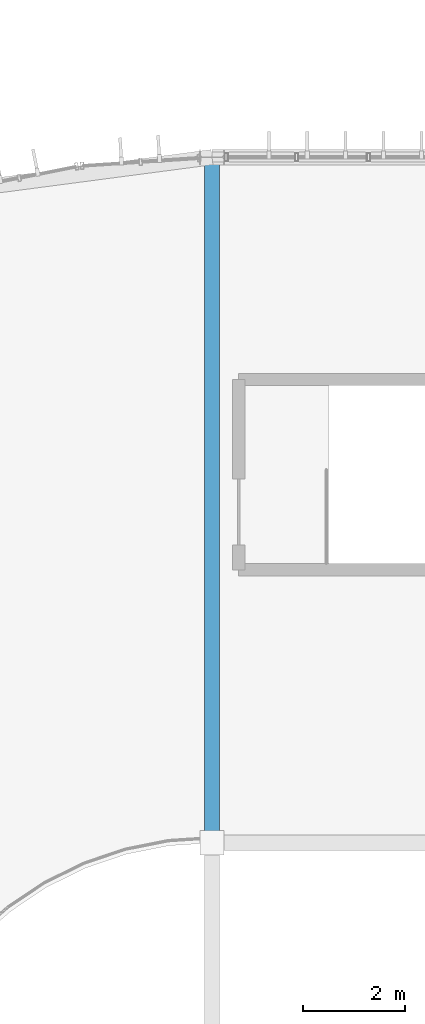
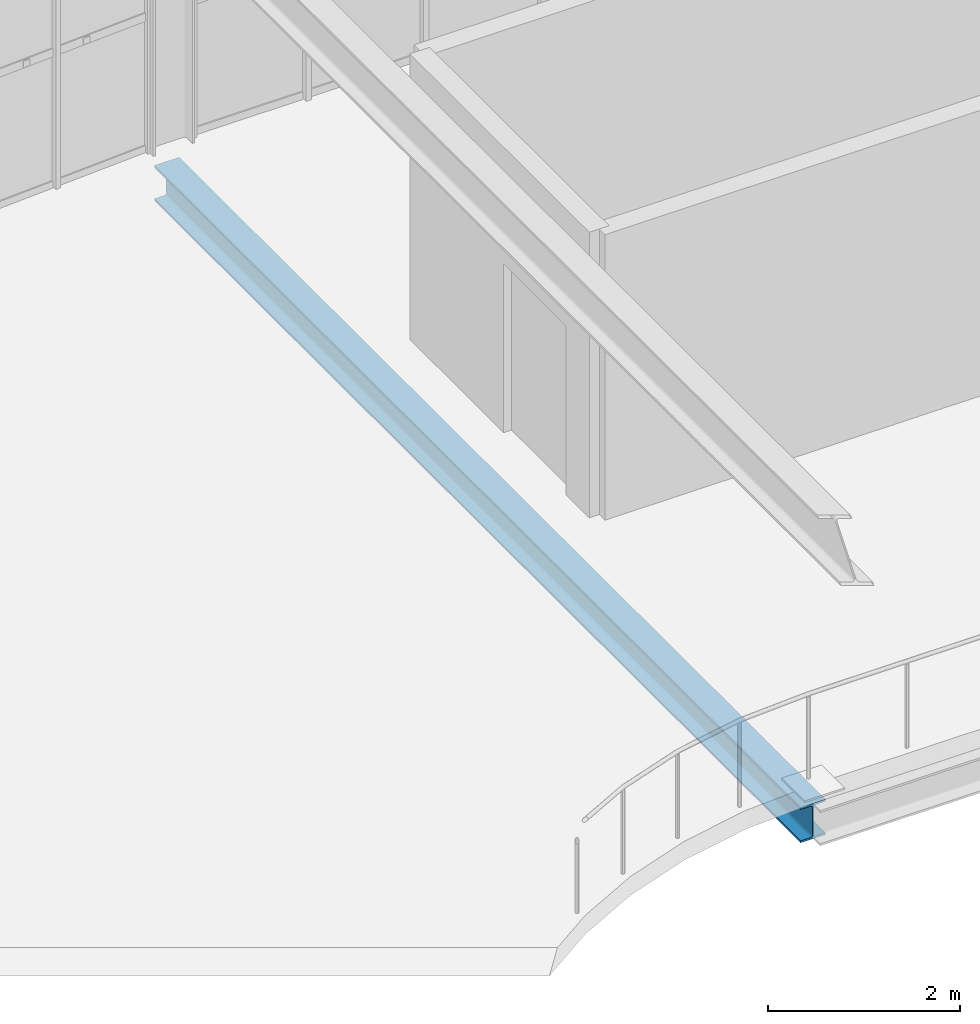
# One storey, part 53 of 152: 1 beam.
"""IFC4 building model written with IfcOpenShell, lengths in metres."""

from ifc_helpers import new_model, si_unit, derived_unit, direction, frame, origin, origin_2d, place, context, subcontext, project, spatial, i_section, extrude, material, material_profile, profile_set, type_object, element, save


model = new_model("IFC4")

# Units and contexts
model_context = context("Model", 3, precision=1e-05, world=origin(), true_north=direction((0.0, 1.0)))
body_context = subcontext(model_context, "Body", "Model", "MODEL_VIEW")
ifc_project = project(units=[si_unit("LENGTHUNIT", "METRE"), si_unit("AREAUNIT", "SQUARE_METRE"), si_unit("VOLUMEUNIT", "CUBIC_METRE"), si_unit("PLANEANGLEUNIT", "RADIAN"), si_unit("MASSUNIT", "GRAM", prefix="KILO"), si_unit("THERMODYNAMICTEMPERATUREUNIT", "KELVIN"), si_unit("TIMEUNIT", "SECOND"), derived_unit("THERMALTRANSMITTANCEUNIT", [(si_unit("MASSUNIT", "GRAM", prefix="KILO"), 1), (si_unit("THERMODYNAMICTEMPERATUREUNIT", "KELVIN"), -1), (si_unit("TIMEUNIT", "SECOND"), -3)])], contexts=[model_context])

# Site, building, storey
site_placement = place(None, origin())
site = spatial("IfcSite", under=ifc_project, at=site_placement, CompositionType="ELEMENT")
building_placement = place(site_placement, origin())
building = spatial("IfcBuilding", under=site, at=building_placement, Name="Cambertide Market Hall", CompositionType="ELEMENT")
storey_placement = place(building_placement, frame((0.0, 0.0, 5.39990234375)))
storey = spatial("IfcBuildingStorey", under=building, at=storey_placement, Name="L02", CompositionType="ELEMENT", Elevation=5.39990234375)

# Beam
ifc_material = material(Name="Steel S355", Category="steel")
ifc_material_profile = material_profile(ifc_material, i_section(OverallWidth=0.300048828125, OverallDepth=0.449951171875, WebThickness=0.013916015625, FlangeThickness=0.02587890625, FilletRadius=0.027099609375, at=origin_2d()), Name="HEB 450")
ifc_profile_set = profile_set([ifc_material_profile], Name="Steel S355")
beam_type = type_object("IfcBeamType", Name="Steel Girder HEB 450", PredefinedType="BEAM", material=ifc_profile_set)
beam_placement = place(storey_placement, frame((42.0, 78.5, -0.46484375), z_axis=(0.0, 1.0, 0.0), x_axis=(-1.0, 0.0, 0.0)))
element("IfcBeam", 1, at=beam_placement, inside=storey, type_object=beam_type, Name="Level 2 Beam BM-V1TN-L02-1", PredefinedType="BEAM", context=body_context, shape_type="SweptSolid", body=[
    extrude(i_section(OverallWidth=0.300048828125, OverallDepth=0.449951171875, WebThickness=0.013916015625, FlangeThickness=0.02587890625, FilletRadius=0.027099609375, at=origin_2d()), origin(), (0.0, 0.0, 1.0), 13.5),
])

save(model, "model.ifc")
